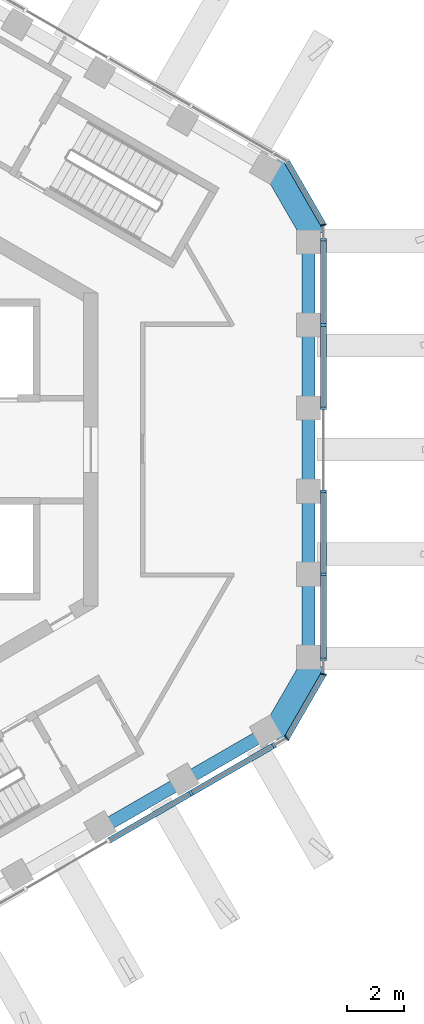
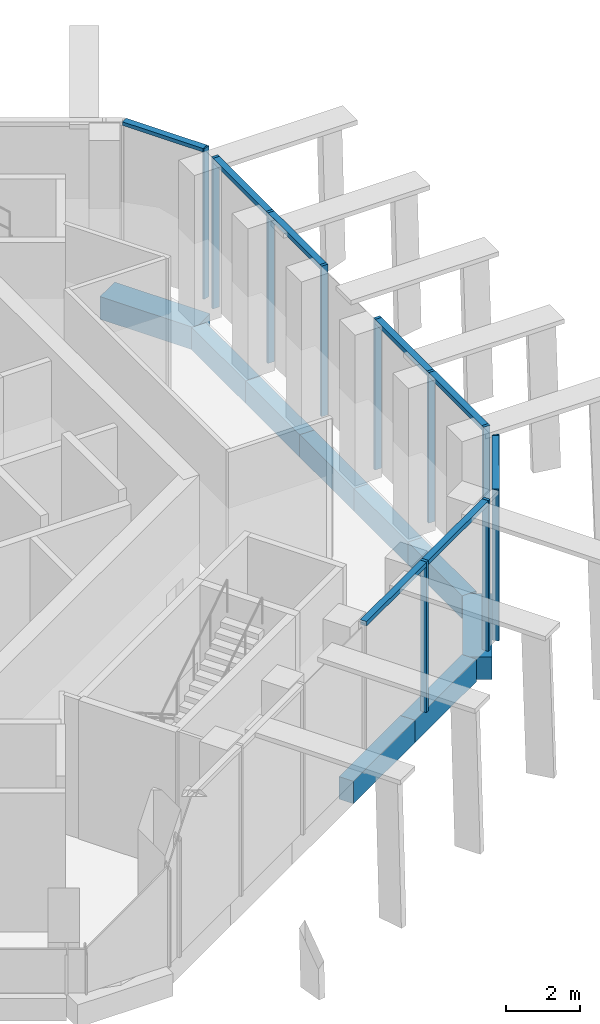
# One storey, part 4 of 17: 16 members, 9 beams, 4 elements without a shape of their own.
"""IFC4 building model written with IfcOpenShell, lengths in metres."""

from ifc_helpers import new_model, si_unit, direction, frame, origin, origin_2d, place, context, subcontext, project, spatial, rectangle, extrude, material, layer, layer_set, material_profile, profile_set, type_object, element, aggregate, save


model = new_model("IFC4")

# Units and contexts
model_context = context("Model", 3, precision=1e-05, world=origin(), true_north=direction((0.0, 1.0)))
body_context = subcontext(model_context, "Body", "Model", "MODEL_VIEW")
ifc_project = project(units=[si_unit("LENGTHUNIT", "METRE"), si_unit("AREAUNIT", "SQUARE_METRE"), si_unit("VOLUMEUNIT", "CUBIC_METRE"), si_unit("PLANEANGLEUNIT", "RADIAN"), si_unit("MASSUNIT", "GRAM", prefix="KILO")], contexts=[model_context])

# Site, building, storey
site_placement = place(None, origin())
site = spatial("IfcSite", under=ifc_project, at=site_placement, CompositionType="ELEMENT")
building_placement = place(site_placement, origin())
building = spatial("IfcBuilding", under=site, at=building_placement, Name="Ayvan Gate Tower", CompositionType="ELEMENT")
storey_placement = place(building_placement, frame((0.0, 0.0, 252.89990234375)))
storey = spatial("IfcBuildingStorey", under=building, at=storey_placement, Name="L68", CompositionType="ELEMENT", Elevation=252.89990234375)

# Beams
ifc_material_1 = material(Name="Concrete C40/50", Category="concrete")
ifc_material_profile_1 = material_profile(ifc_material_1, rectangle(XDim=0.800048828125, YDim=0.75, at=origin_2d()), Name="RC 800x750")
ifc_profile_set_1 = profile_set([ifc_material_profile_1], Name="Concrete C40/50")
beam_type_1 = type_object("IfcBeamType", Name="Corner spandrel beam RC 800x750 C40/50", PredefinedType="BEAM", material=ifc_profile_set_1)
for number, where, z_axis, x_axis, name in (
    (1, (17.078125, 7.458251953125, -0.77490234375), (-0.499990139034, 0.866031096941, 0.0), (-0.866031096941, -0.499990139034, 0.0), "SB-L68-6"),
    (2, (15.578125, -10.056396484375, -0.77490234375), (0.499990139034, 0.866031096941, 0.0), (-0.866031096941, 0.499990139034, 0.0), "SB-L68-36"),
):
    element("IfcBeam", number, at=place(storey_placement, frame(where, z_axis=z_axis, x_axis=x_axis)), inside=storey, type_object=beam_type_1, Name=name, PredefinedType="BEAM", context=body_context, shape_type="SweptSolid", body=[
        extrude(rectangle(XDim=0.800048828125, YDim=0.75, at=origin_2d()), origin(), (0.0, 0.0, 1.0), 3.0),
    ])
ifc_material_profile_2 = material_profile(ifc_material_1, rectangle(XDim=0.449951171875, YDim=0.75, at=origin_2d()), Name="RC 450x750")
ifc_profile_set_2 = profile_set([ifc_material_profile_2], Name="Concrete C40/50")
beam_type_2 = type_object("IfcBeamType", Name="Spandrel beam RC 450x750 C40/50", PredefinedType="BEAM", material=ifc_profile_set_2)
beam_1_placement = place(storey_placement, frame((16.887451171875, -7.348388671875, -0.77490234375), z_axis=(0.0, 1.0, 0.0), x_axis=(-1.0, 0.0, 0.0)))
element("IfcBeam", 3, at=beam_1_placement, inside=storey, type_object=beam_type_2, Name="SB-L68-1", PredefinedType="BEAM", context=body_context, shape_type="SweptSolid", body=[
    extrude(rectangle(XDim=0.449951171875, YDim=0.75, at=origin_2d()), origin(), (0.0, 0.0, 1.0), 2.939453125),
])
beam_2_placement = place(storey_placement, frame((16.887451171875, -4.408935546875, -0.77490234375), z_axis=(0.0, 1.0, 0.0), x_axis=(-1.0, 0.0, 0.0)))
element("IfcBeam", 4, at=beam_2_placement, inside=storey, type_object=beam_type_2, Name="SB-L68-2", PredefinedType="BEAM", context=body_context, shape_type="SweptSolid", body=[
    extrude(rectangle(XDim=0.449951171875, YDim=0.75, at=origin_2d()), origin(), (0.0, 0.0, 1.0), 2.939208984375),
])
beam_3_placement = place(storey_placement, frame((16.887451171875, -1.4697265625, -0.77490234375), z_axis=(0.0, 1.0, 0.0), x_axis=(-1.0, 0.0, 0.0)))
element("IfcBeam", 5, at=beam_3_placement, inside=storey, type_object=beam_type_2, Name="SB-L68-3", PredefinedType="BEAM", context=body_context, shape_type="SweptSolid", body=[
    extrude(rectangle(XDim=0.449951171875, YDim=0.75, at=origin_2d()), origin(), (0.0, 0.0, 1.0), 2.939453125),
])
beam_4_placement = place(storey_placement, frame((16.887451171875, 1.4697265625, -0.77490234375), z_axis=(0.0, 1.0, 0.0), x_axis=(-1.0, 0.0, 0.0)))
element("IfcBeam", 6, at=beam_4_placement, inside=storey, type_object=beam_type_2, Name="SB-L68-4", PredefinedType="BEAM", context=body_context, shape_type="SweptSolid", body=[
    extrude(rectangle(XDim=0.449951171875, YDim=0.75, at=origin_2d()), origin(), (0.0, 0.0, 1.0), 2.939208984375),
])
beam_5_placement = place(storey_placement, frame((16.887451171875, 4.408935546875, -0.77490234375), z_axis=(0.0, 1.0, 0.0), x_axis=(-1.0, 0.0, 0.0)))
element("IfcBeam", 7, at=beam_5_placement, inside=storey, type_object=beam_type_2, Name="SB-L68-5", PredefinedType="BEAM", context=body_context, shape_type="SweptSolid", body=[
    extrude(rectangle(XDim=0.449951171875, YDim=0.75, at=origin_2d()), origin(), (0.0, 0.0, 1.0), 2.939453125),
])
beam_6_placement = place(storey_placement, frame((9.6005859375, -13.287353515625, -0.77490234375), z_axis=(0.866031037473, 0.499990242038, 0.0), x_axis=(-0.499990242038, 0.866031037473, 0.0)))
element("IfcBeam", 8, at=beam_6_placement, inside=storey, type_object=beam_type_2, Name="SB-L68-34", PredefinedType="BEAM", context=body_context, shape_type="SweptSolid", body=[
    extrude(rectangle(XDim=0.449951171875, YDim=0.75, at=origin_2d()), origin(), (0.0, 0.0, 1.0), 3.3408203125),
])
beam_7_placement = place(storey_placement, frame((12.493896484375, -11.616943359375, -0.77490234375), z_axis=(0.866017664247, 0.500013405032, 0.0), x_axis=(-0.500013405032, 0.866017664247, 0.0)))
element("IfcBeam", 9, at=beam_7_placement, inside=storey, type_object=beam_type_2, Name="SB-L68-35", PredefinedType="BEAM", context=body_context, shape_type="SweptSolid", body=[
    extrude(rectangle(XDim=0.449951171875, YDim=0.75, at=origin_2d()), origin(), (0.0, 0.0, 1.0), 3.34130859375),
])

# Curtain wall, members
ifc_material_2 = material(Name="Bronze anodised aluminium", Category="aluminium")
ifc_layer_1 = layer(ifc_material_2, 0.199951171875)
ifc_layer_set_1 = layer_set([ifc_layer_1], Name="Bronze anodised aluminium")
curtain_wall_type_1 = type_object("IfcCurtainWallType", Name="Stick curtain wall CW-5", PredefinedType="NOTDEFINED", material=ifc_layer_set_1)
curtain_wall_1_placement = place(storey_placement, origin())
curtain_wall_1 = element("IfcCurtainWall", 10, at=curtain_wall_1_placement, inside=storey, type_object=curtain_wall_type_1, Name="Stick curtain wall CW-5 L68", PredefinedType="NOTDEFINED")
ifc_material_profile_3 = material_profile(ifc_material_2, rectangle(XDim=0.199951171875, YDim=0.090087890625, at=origin_2d()), Name="Stick curtain wall CW-5 mullion 200 x 90")
ifc_profile_set_3 = profile_set([ifc_material_profile_3], Name="Bronze anodised aluminium")
member_type_1 = type_object("IfcMemberType", Name="Stick curtain wall CW-5 mullion 200 x 90", PredefinedType="MULLION", material=ifc_profile_set_3)
member_1_placement = place(storey_placement, frame((12.766845703125, -12.050048828125, 0.0), z_axis=(0.0, 0.0, 1.0), x_axis=(0.5, -0.866025403784, 0.0)))
member_1 = element("IfcMember", 11, at=member_1_placement, type_object=member_type_1, Name="CW-5 mullion 5", PredefinedType="MULLION", context=body_context, shape_type="SweptSolid", body=[
    extrude(rectangle(XDim=0.199951171875, YDim=0.090087890625, at=origin_2d()), origin(), (0.0, 0.0, 1.0), 5.0),
])
member_2_placement = place(storey_placement, frame((15.6708984375, -10.373291015625, 0.0), z_axis=(0.0, 0.0, 1.0), x_axis=(0.5, -0.866025403784, 0.0)))
member_2 = element("IfcMember", 12, at=member_2_placement, type_object=member_type_1, Name="CW-5 mullion 6", PredefinedType="MULLION", context=body_context, shape_type="SweptSolid", body=[
    extrude(rectangle(XDim=0.199951171875, YDim=0.090087890625, at=origin_2d()), origin(), (0.0, 0.0, 1.0), 5.0),
])

curtain_wall_2_placement = place(storey_placement, origin())
curtain_wall_2 = element("IfcCurtainWall", 13, at=curtain_wall_2_placement, inside=storey, type_object=curtain_wall_type_1, Name="Stick curtain wall CW-5 L68", PredefinedType="NOTDEFINED")
member_3_placement = place(storey_placement, frame((17.41259765625, -7.356689453125, 0.0), z_axis=(0.0, 0.0, 1.0), x_axis=(1.0, 0.0, 0.0)))
member_3 = element("IfcMember", 14, at=member_3_placement, type_object=member_type_1, Name="CW-5 mullion 1", PredefinedType="MULLION", context=body_context, shape_type="SweptSolid", body=[
    extrude(rectangle(XDim=0.199951171875, YDim=0.090087890625, at=origin_2d()), origin(), (0.0, 0.0, 1.0), 5.0),
])
member_4_placement = place(storey_placement, frame((17.41259765625, -4.369873046875, 0.0), z_axis=(0.0, 0.0, 1.0), x_axis=(1.0, 0.0, 0.0)))
member_4 = element("IfcMember", 15, at=member_4_placement, type_object=member_type_1, Name="CW-5 mullion 2", PredefinedType="MULLION", context=body_context, shape_type="SweptSolid", body=[
    extrude(rectangle(XDim=0.199951171875, YDim=0.090087890625, at=origin_2d()), origin(), (0.0, 0.0, 1.0), 5.0),
])
member_5_placement = place(storey_placement, frame((17.41259765625, -1.456787109375, 0.0), z_axis=(0.0, 0.0, 1.0), x_axis=(1.0, 0.0, 0.0)))
member_5 = element("IfcMember", 16, at=member_5_placement, type_object=member_type_1, Name="CW-5 mullion 3", PredefinedType="MULLION", context=body_context, shape_type="SweptSolid", body=[
    extrude(rectangle(XDim=0.199951171875, YDim=0.090087890625, at=origin_2d()), origin(), (0.0, 0.0, 1.0), 5.0),
])
member_6_placement = place(storey_placement, frame((17.41259765625, 1.456298828125, 0.0), z_axis=(0.0, 0.0, 1.0), x_axis=(1.0, 0.0, 0.0)))
member_6 = element("IfcMember", 17, at=member_6_placement, type_object=member_type_1, Name="CW-5 mullion 4", PredefinedType="MULLION", context=body_context, shape_type="SweptSolid", body=[
    extrude(rectangle(XDim=0.199951171875, YDim=0.090087890625, at=origin_2d()), origin(), (0.0, 0.0, 1.0), 5.0),
])
member_7_placement = place(storey_placement, frame((17.41259765625, 4.369140625, 0.0), z_axis=(0.0, 0.0, 1.0), x_axis=(1.0, 0.0, 0.0)))
member_7 = element("IfcMember", 18, at=member_7_placement, type_object=member_type_1, Name="CW-5 mullion 5", PredefinedType="MULLION", context=body_context, shape_type="SweptSolid", body=[
    extrude(rectangle(XDim=0.199951171875, YDim=0.090087890625, at=origin_2d()), origin(), (0.0, 0.0, 1.0), 5.0),
])
member_8_placement = place(storey_placement, frame((17.41259765625, 7.356689453125, 0.0), z_axis=(0.0, 0.0, 1.0), x_axis=(1.0, 0.0, 0.0)))
member_8 = element("IfcMember", 19, at=member_8_placement, type_object=member_type_1, Name="CW-5 mullion 6", PredefinedType="MULLION", context=body_context, shape_type="SweptSolid", body=[
    extrude(rectangle(XDim=0.199951171875, YDim=0.090087890625, at=origin_2d()), origin(), (0.0, 0.0, 1.0), 5.0),
])

# Member
ifc_material_profile_4 = material_profile(ifc_material_2, rectangle(XDim=0.199951171875, YDim=0.14990234375, at=origin_2d()), Name="Stick curtain wall CW-5 transom 200 x 150")
ifc_profile_set_4 = profile_set([ifc_material_profile_4], Name="Bronze anodised aluminium")
member_type_2 = type_object("IfcMemberType", Name="Stick curtain wall CW-5 transom 200 x 150", PredefinedType="USERDEFINED", material=ifc_profile_set_4)
member_9_placement = place(storey_placement, frame((9.901123046875, -13.70458984375, 4.925048828125), z_axis=(0.866017770014, 0.500013221844, 0.0), x_axis=(-0.500013221844, 0.866017770014, 0.0)))
member_9 = element("IfcMember", 20, at=member_9_placement, type_object=member_type_2, Name="CW-5 transom 2", ObjectType="TRANSOM", PredefinedType="USERDEFINED", context=body_context, shape_type="SweptSolid", body=[
    extrude(rectangle(XDim=0.199951171875, YDim=0.14990234375, at=origin_2d()), origin(), (0.0, 0.0, 1.0), 6.662353515625),
])

aggregate(curtain_wall_1, [member_1, member_2, member_9])

member_10_placement = place(storey_placement, frame((17.41259765625, -7.356689453125, 4.925048828125), z_axis=(0.0, 1.0, 0.0), x_axis=(-1.0, 0.0, 0.0)))
member_10 = element("IfcMember", 21, at=member_10_placement, type_object=member_type_2, Name="CW-5 transom 1", ObjectType="TRANSOM", PredefinedType="USERDEFINED", context=body_context, shape_type="SweptSolid", body=[
    extrude(rectangle(XDim=0.199951171875, YDim=0.14990234375, at=origin_2d()), origin(), (0.0, 0.0, 1.0), 5.85498046875),
])

member_11_placement = place(storey_placement, frame((17.41259765625, 1.501220703125, 4.925048828125), z_axis=(0.0, 1.0, 0.0), x_axis=(-1.0, 0.0, 0.0)))
member_11 = element("IfcMember", 22, at=member_11_placement, type_object=member_type_2, Name="CW-5 transom 2", ObjectType="TRANSOM", PredefinedType="USERDEFINED", context=body_context, shape_type="SweptSolid", body=[
    extrude(rectangle(XDim=0.199951171875, YDim=0.14990234375, at=origin_2d()), origin(), (0.0, 0.0, 1.0), 5.85546875),
])

aggregate(curtain_wall_2, [member_3, member_4, member_5, member_6, member_7, member_8, member_10, member_11])

# Curtain wall, members
ifc_layer_2 = layer(ifc_material_2, 0.199951171875)
ifc_layer_set_2 = layer_set([ifc_layer_2], Name="Bronze anodised aluminium")
curtain_wall_type_2 = type_object("IfcCurtainWallType", Name="Stick curtain wall CW-6", PredefinedType="NOTDEFINED", material=ifc_layer_set_2)
curtain_wall_3_placement = place(storey_placement, origin())
curtain_wall_3 = element("IfcCurtainWall", 23, at=curtain_wall_3_placement, inside=storey, type_object=curtain_wall_type_2, Name="Stick curtain wall CW-6 L68", PredefinedType="NOTDEFINED")
ifc_material_profile_5 = material_profile(ifc_material_2, rectangle(XDim=0.199951171875, YDim=0.050048828125, at=origin_2d()), Name="Stick curtain wall CW-6 mullion 200 x 50")
ifc_profile_set_5 = profile_set([ifc_material_profile_5], Name="Bronze anodised aluminium")
member_type_3 = type_object("IfcMemberType", Name="Stick curtain wall CW-6 mullion 200 x 50", PredefinedType="MULLION", material=ifc_profile_set_5)
member_12_placement = place(storey_placement, frame((16.12109375, -10.11328125, 0.0), z_axis=(0.0, 0.0, 1.0), x_axis=(0.707106781187, -0.707106781187, 0.0)))
member_12 = element("IfcMember", 24, at=member_12_placement, type_object=member_type_3, Name="CW-6 mullion 2", PredefinedType="MULLION", context=body_context, shape_type="SweptSolid", body=[
    extrude(rectangle(XDim=0.199951171875, YDim=0.050048828125, at=origin_2d()), origin(), (0.0, 0.0, 1.0), 5.0),
])
member_13_placement = place(storey_placement, frame((17.41259765625, -7.876708984375, 0.0), z_axis=(0.0, 0.0, 1.0), x_axis=(0.965925826289, -0.258819045103, 0.0)))
member_13 = element("IfcMember", 25, at=member_13_placement, type_object=member_type_3, Name="CW-6 mullion 3", PredefinedType="MULLION", context=body_context, shape_type="SweptSolid", body=[
    extrude(rectangle(XDim=0.199951171875, YDim=0.050048828125, at=origin_2d()), origin(), (0.0, 0.0, 1.0), 5.0),
])

# Curtain wall, member
curtain_wall_4_placement = place(storey_placement, origin())
curtain_wall_4 = element("IfcCurtainWall", 26, at=curtain_wall_4_placement, inside=storey, type_object=curtain_wall_type_2, Name="Stick curtain wall CW-6 L68", PredefinedType="NOTDEFINED")
member_14_placement = place(storey_placement, frame((17.41259765625, 7.876708984375, 0.0), z_axis=(0.0, 0.0, 1.0), x_axis=(0.965925826289, 0.258819045103, 0.0)))
member_14 = element("IfcMember", 27, at=member_14_placement, type_object=member_type_3, Name="CW-6 mullion 2", PredefinedType="MULLION", context=body_context, shape_type="SweptSolid", body=[
    extrude(rectangle(XDim=0.199951171875, YDim=0.050048828125, at=origin_2d()), origin(), (0.0, 0.0, 1.0), 5.0),
])

# Member
ifc_material_profile_6 = material_profile(ifc_material_2, rectangle(XDim=0.199951171875, YDim=0.1201171875, at=origin_2d()), Name="Stick curtain wall CW-6 transom 200 x 120")
ifc_profile_set_6 = profile_set([ifc_material_profile_6], Name="Bronze anodised aluminium")
member_type_4 = type_object("IfcMemberType", Name="Stick curtain wall CW-6 transom 200 x 120", PredefinedType="USERDEFINED", material=ifc_profile_set_6)
member_15_placement = place(storey_placement, frame((16.1337890625, -10.091796875, 4.940185546875), z_axis=(0.499933856714, 0.866063588261, 0.0), x_axis=(-0.866063588261, 0.499933856714, 0.0)))
member_15 = element("IfcMember", 28, at=member_15_placement, type_object=member_type_4, Name="CW-6 transom 2", ObjectType="TRANSOM", PredefinedType="USERDEFINED", context=body_context, shape_type="SweptSolid", body=[
    extrude(rectangle(XDim=0.199951171875, YDim=0.1201171875, at=origin_2d()), origin(), (0.0, 0.0, 1.0), 2.532470703125),
])

aggregate(curtain_wall_3, [member_12, member_13, member_15])

member_16_placement = place(storey_placement, frame((17.39990234375, 7.8984375, 4.940185546875), z_axis=(-0.499933856714, 0.866063588261, 0.0), x_axis=(-0.866063588261, -0.499933856714, 0.0)))
member_16 = element("IfcMember", 29, at=member_16_placement, type_object=member_type_4, Name="CW-6 transom 1", ObjectType="TRANSOM", PredefinedType="USERDEFINED", context=body_context, shape_type="SweptSolid", body=[
    extrude(rectangle(XDim=0.199951171875, YDim=0.1201171875, at=origin_2d()), origin(), (0.0, 0.0, 1.0), 2.532470703125),
])

aggregate(curtain_wall_4, [member_14, member_16])

save(model, "model.ifc")
